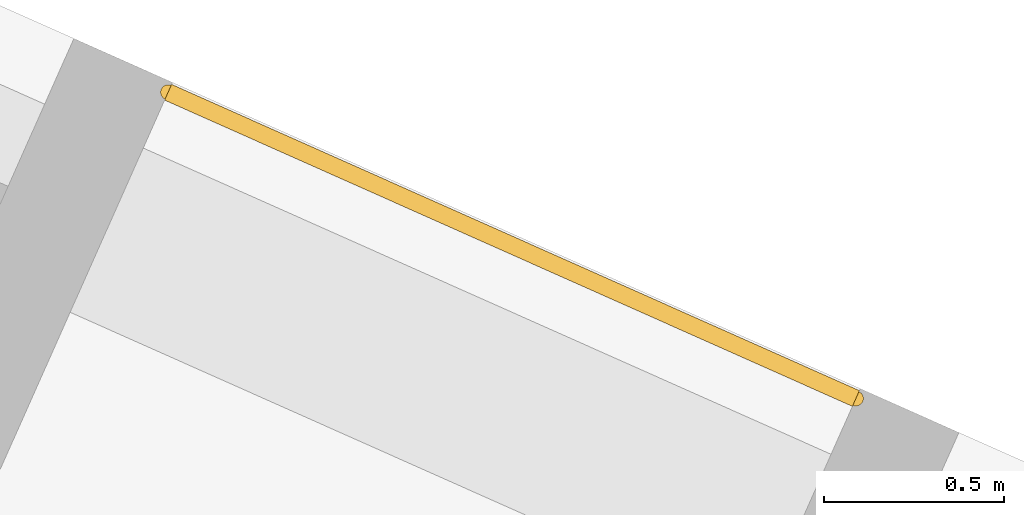
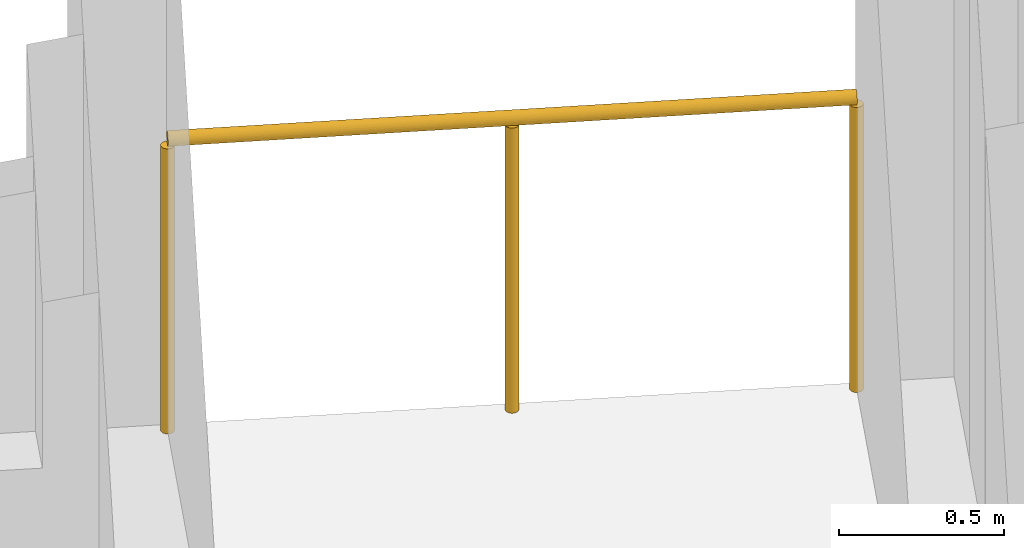
# One storey, part 14 of 14: 1 railing.
"""IFC4 building model written with IfcOpenShell, lengths in metres."""

from ifc_helpers import new_model, si_unit, direction, frame, origin, origin_2d, place, context, subcontext, project, spatial, circle, extrude, material, type_object, element, save


model = new_model("IFC4")

# Units and contexts
model_context = context("Model", 3, precision=1e-05, world=origin(), true_north=direction((0.0, 1.0)))
body_context = subcontext(model_context, "Body", "Model", "MODEL_VIEW")
ifc_project = project(units=[si_unit("LENGTHUNIT", "METRE"), si_unit("AREAUNIT", "SQUARE_METRE"), si_unit("VOLUMEUNIT", "CUBIC_METRE"), si_unit("PLANEANGLEUNIT", "RADIAN"), si_unit("MASSUNIT", "GRAM", prefix="KILO")], contexts=[model_context])

# Site, building, storey
site_placement = place(None, origin())
site = spatial("IfcSite", under=ifc_project, at=site_placement, CompositionType="ELEMENT")
building_placement = place(site_placement, origin())
building = spatial("IfcBuilding", under=site, at=building_placement, Name="Tramontana Tower", CompositionType="ELEMENT")
storey_placement = place(building_placement, frame((0.0, 0.0, 186.800048828125)))
storey = spatial("IfcBuildingStorey", under=building, at=storey_placement, Name="L43", CompositionType="ELEMENT", Elevation=186.800048828125)

# Railing
ifc_material = material(Name="Laminated glass balustrade", Category="glass")
railing_type = type_object("IfcRailingType", Name="GD1 Loggia glass balustrade 1100", PredefinedType="BALUSTRADE", material=ifc_material)
railing_placement = place(storey_placement, frame((26.319091796875, 6.85791015625, 0.0)))
element("IfcRailing", 1, at=railing_placement, inside=storey, type_object=railing_type, Name="Loggia balustrade L43 G4S2.1", PredefinedType="BALUSTRADE", context=body_context, shape_type="SweptSolid", body=[
    extrude(circle(Radius=0.02392578125, at=origin_2d()), frame((0.0, 0.0, 1.076171875), z_axis=(-0.913537312596, 0.406754936657, 0.0), x_axis=(-0.406754936657, -0.913537312596, 0.0)), (0.0, 0.0, 1.0), 2.09423828125),
    extrude(circle(Radius=0.02099609375, at=origin_2d()), origin(), (0.0, 0.0, 1.0), 1.052001953125),
    extrude(circle(Radius=0.02099609375, at=origin_2d()), frame((-0.95654296875, 0.42578125, 0.0)), (0.0, 0.0, 1.0), 1.052001953125),
    extrude(circle(Radius=0.02099609375, at=origin_2d()), frame((-1.9130859375, 0.851806640625, 0.0)), (0.0, 0.0, 1.0), 1.052001953125),
])

save(model, "model.ifc")
